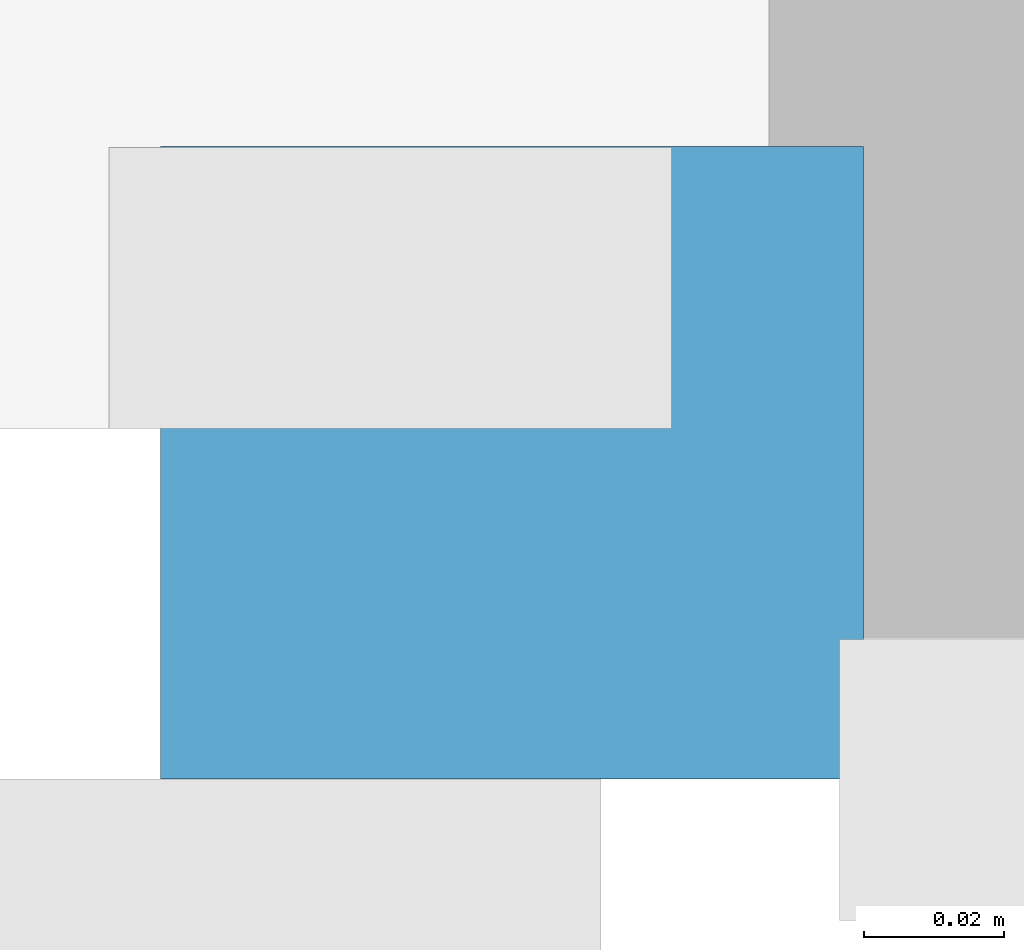
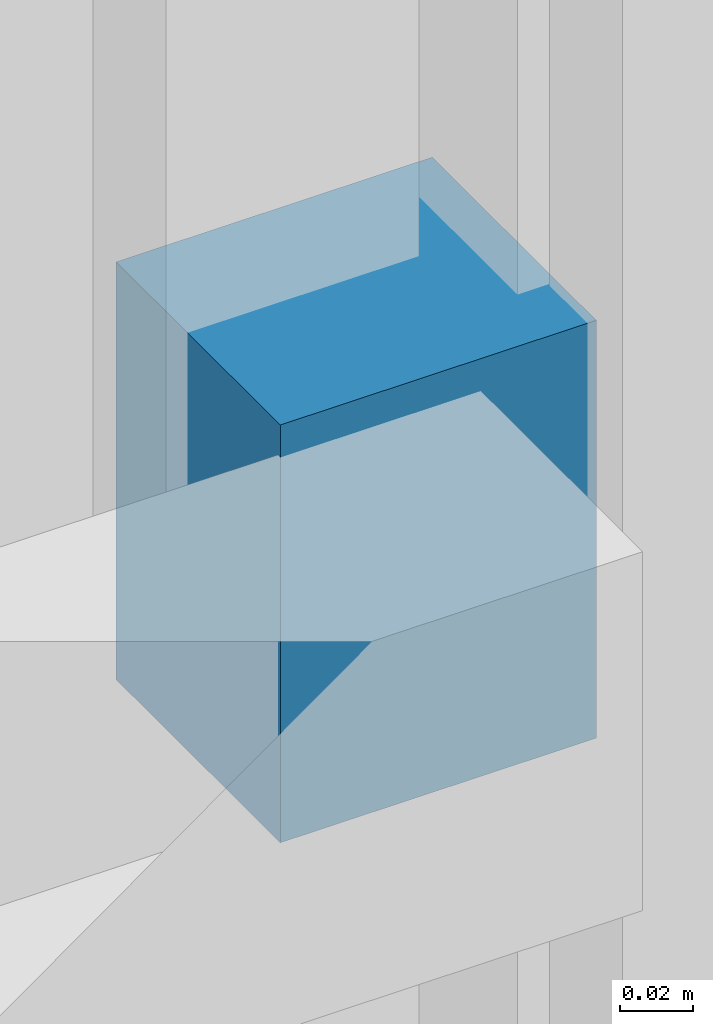
# One storey, part 75 of 122: 1 discrete accessory.
"""IFC4 building model written with IfcOpenShell, lengths in metres."""

from ifc_helpers import new_model, si_unit, direction, frame, origin, origin_2d, place, context, subcontext, project, spatial, rectangle, extrude, material, type_object, element, save


model = new_model("IFC4")

# Units and contexts
model_context = context("Model", 3, precision=1e-05, world=origin(), true_north=direction((0.0, 1.0)))
body_context = subcontext(model_context, "Body", "Model", "MODEL_VIEW")
ifc_project = project(units=[si_unit("LENGTHUNIT", "METRE"), si_unit("AREAUNIT", "SQUARE_METRE"), si_unit("VOLUMEUNIT", "CUBIC_METRE"), si_unit("PLANEANGLEUNIT", "RADIAN"), si_unit("MASSUNIT", "GRAM", prefix="KILO")], contexts=[model_context])

# Site, building, storey
site_placement = place(None, origin())
site = spatial("IfcSite", under=ifc_project, at=site_placement, CompositionType="ELEMENT")
building_placement = place(site_placement, origin())
building = spatial("IfcBuilding", under=site, at=building_placement, Name="Telukmera Botanical Conservatory", CompositionType="ELEMENT")
storey_placement = place(building_placement, frame((0.0, 0.0, 10.199951171875)))
storey = spatial("IfcBuildingStorey", under=building, at=storey_placement, Name="L02", CompositionType="ELEMENT", Elevation=10.199951171875)

# Discrete accessory
ifc_material = material(Name="Steel S355", Category="steel")
discrete_accessory_type = type_object("IfcDiscreteAccessoryType", Name="Structural Steel Facade Outrigger Fin Bracket", PredefinedType="BRACKET", material=ifc_material)
discrete_accessory_placement = place(storey_placement, frame((100.765380859375, 9.195068359375, 0.8798828125), z_axis=(0.0, 0.0, 1.0), x_axis=(1.0, 0.0, 0.0)))
element("IfcDiscreteAccessory", 1, at=discrete_accessory_placement, inside=storey, type_object=discrete_accessory_type, Name="Facade Outrigger Bracket V4:L02:S6 B", PredefinedType="BRACKET", context=body_context, shape_type="SweptSolid", body=[
    extrude(rectangle(XDim=0.10009765625, YDim=0.090087890625, at=origin_2d()), origin(), (0.0, 0.0, 1.0), 0.139892578125),
])

save(model, "model.ifc")
